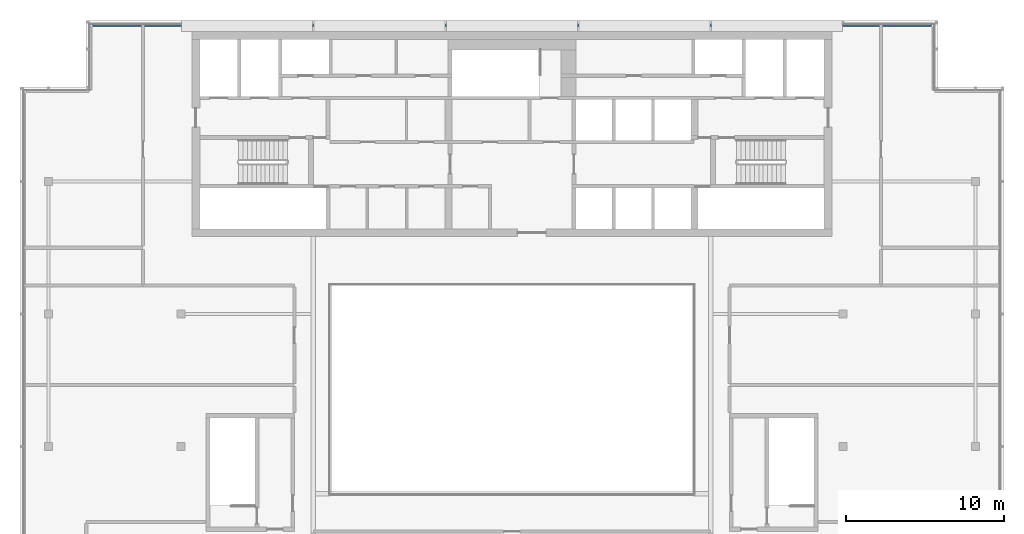
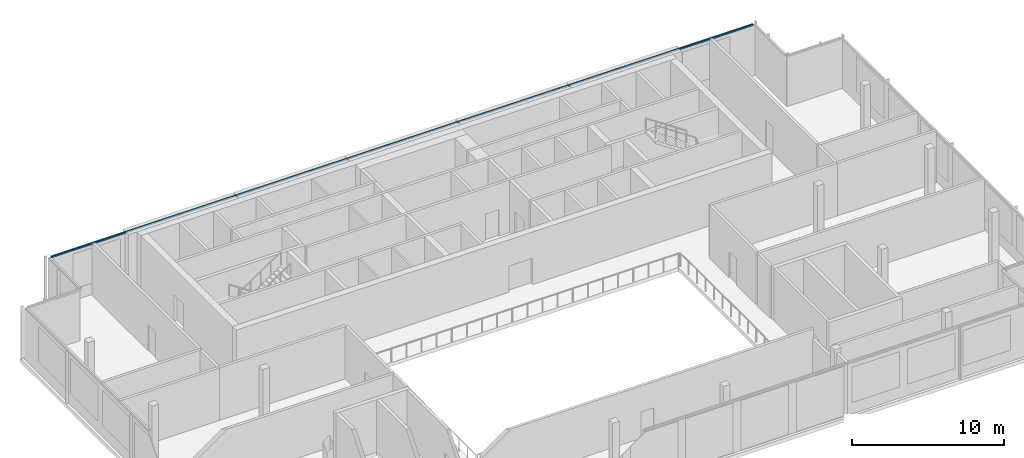
# One storey, part 7 of 14: 1 member, 1 element without a shape of its own.
"""IFC4 building model written with IfcOpenShell, lengths in metres."""

from ifc_helpers import new_model, si_unit, direction, frame, origin, origin_2d, place, context, subcontext, project, spatial, rectangle, extrude, material, material_profile, profile_set, type_object, element, aggregate, save


model = new_model("IFC4")

# Units and contexts
model_context = context("Model", 3, precision=1e-05, world=origin(), true_north=direction((0.0, 1.0)))
body_context = subcontext(model_context, "Body", "Model", "MODEL_VIEW")
ifc_project = project(units=[si_unit("LENGTHUNIT", "METRE"), si_unit("AREAUNIT", "SQUARE_METRE"), si_unit("VOLUMEUNIT", "CUBIC_METRE"), si_unit("PLANEANGLEUNIT", "RADIAN"), si_unit("MASSUNIT", "GRAM", prefix="KILO")], contexts=[model_context])

# Site, building, storey
site_placement = place(None, origin())
site = spatial("IfcSite", under=ifc_project, at=site_placement, CompositionType="ELEMENT")
building_placement = place(site_placement, origin())
building = spatial("IfcBuilding", under=site, at=building_placement, Name="Saffron Gate Tower", CompositionType="ELEMENT")
storey_placement = place(building_placement, frame((0.0, 0.0, 310.35009765625)))
storey = spatial("IfcBuildingStorey", under=building, at=storey_placement, Name="L76", CompositionType="ELEMENT", Elevation=310.35009765625)

# Curtain wall, member
ifc_material = material(Name="Aluminium, bronze anodised", Category="aluminium")
curtain_wall_type = type_object("IfcCurtainWallType", Name="CWS6 curtain wall tall storeys", PredefinedType="NOTDEFINED", material=ifc_material)
curtain_wall_placement = place(storey_placement, origin())
curtain_wall = element("IfcCurtainWall", 1, at=curtain_wall_placement, inside=storey, type_object=curtain_wall_type, Name="CWS6 run 7", PredefinedType="NOTDEFINED")
ifc_material_profile = material_profile(ifc_material, rectangle(XDim=0.1201171875, YDim=0.1201171875, at=origin_2d()))
ifc_profile_set = profile_set([ifc_material_profile], Name="Aluminium, bronze anodised")
member_type = type_object("IfcMemberType", Name="CWS6 head transom", PredefinedType="USERDEFINED", material=ifc_profile_set)
member_placement = place(storey_placement, frame((114.19189453125, 75.31201171875, 4.139892578125), z_axis=(-1.0, 0.0, 0.0), x_axis=(0.0, -1.0, 0.0)))
member = element("IfcMember", 2, at=member_placement, type_object=member_type, Name="CWS6 head transom", ObjectType="TRANSOM", PredefinedType="USERDEFINED", context=body_context, shape_type="SweptSolid", body=[
    extrude(rectangle(XDim=0.1201171875, YDim=0.1201171875, at=origin_2d()), origin(), (0.0, 0.0, 1.0), 53.183837890625),
])
aggregate(curtain_wall, [member])

save(model, "model.ifc")
